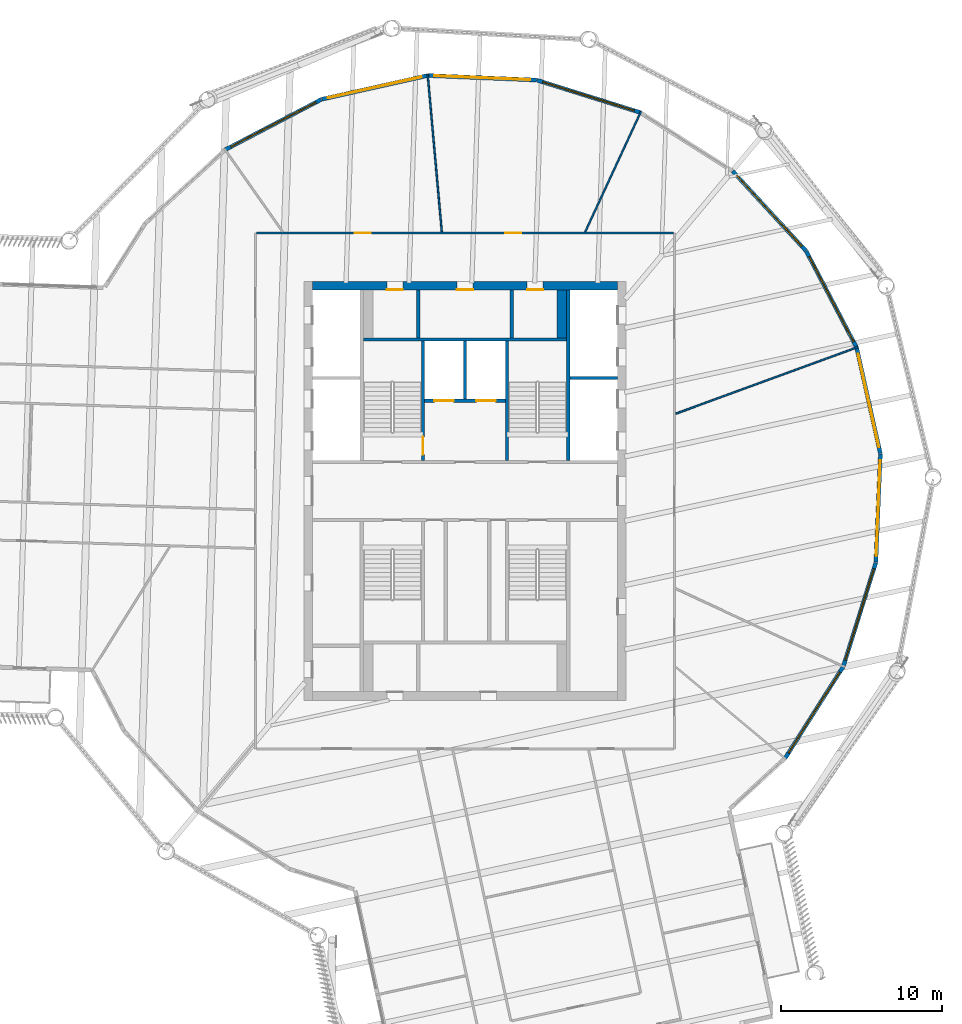
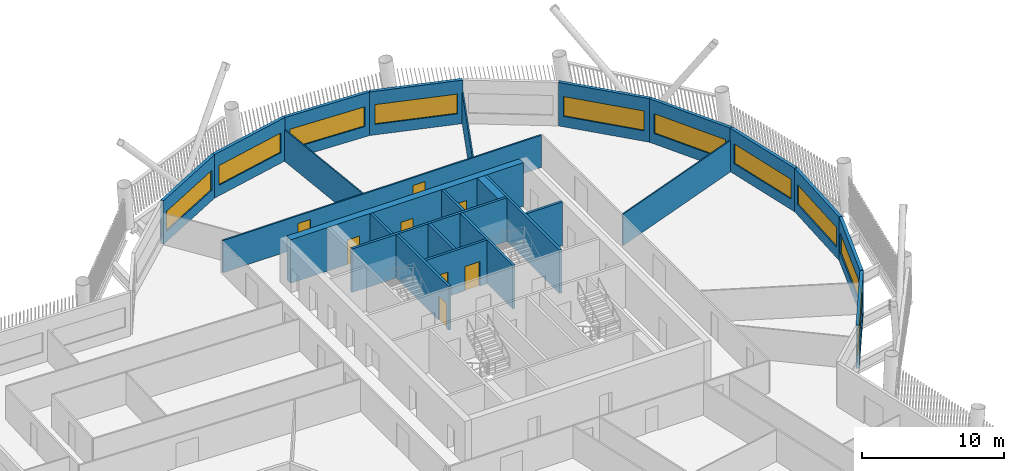
# One storey, part 6 of 21: 25 walls, 10 windows, 8 doors, 18 openings.
"""IFC4 building model written with IfcOpenShell, lengths in metres."""

from ifc_helpers import new_model, si_unit, direction, frame, frame_2d, origin, place, context, subcontext, project, spatial, rectangle, extrude, material, layer, layer_set, type_object, element, fill, save


model = new_model("IFC4")

# Units and contexts
model_context = context("Model", 3, precision=1e-05, world=origin(), true_north=direction((0.0, 1.0)))
body_context = subcontext(model_context, "Body", "Model", "MODEL_VIEW")
ifc_project = project(units=[si_unit("LENGTHUNIT", "METRE"), si_unit("AREAUNIT", "SQUARE_METRE"), si_unit("VOLUMEUNIT", "CUBIC_METRE"), si_unit("PLANEANGLEUNIT", "RADIAN"), si_unit("MASSUNIT", "GRAM", prefix="KILO")], contexts=[model_context])

# Site, building, storey
site_placement = place(None, origin())
site = spatial("IfcSite", under=ifc_project, at=site_placement, CompositionType="ELEMENT")
building_placement = place(site_placement, origin())
building = spatial("IfcBuilding", under=site, at=building_placement, Name="Tarsis Ring Headquarters", CompositionType="ELEMENT")
storey_placement = place(building_placement, frame((0.0, 0.0, 278.60009765625)))
storey = spatial("IfcBuildingStorey", under=building, at=storey_placement, Name="L65", CompositionType="ELEMENT", Elevation=278.60009765625)

# Walls
ifc_material_1 = material(Name="Blockwork", Category="masonry")
ifc_layer_1 = layer(ifc_material_1, 0.199951171875)
ifc_layer_set_1 = layer_set([ifc_layer_1], Name="Core blockwork wall 200")
wall_type_1 = type_object("IfcWallType", Name="Core blockwork wall 200", PredefinedType="PARTITIONING", material=ifc_layer_set_1)
for number, where, z_axis, x_axis, name in (
    (1, (-2.89990234375, 9.5, 0.0), (0.0, 0.0, 1.0), (0.0, 1.0, 0.0), "Core partition ND1"),
    (2, (2.89990234375, 9.5, 0.0), (0.0, 0.0, 1.0), (0.0, 1.0, 0.0), "Core partition ND3"),
):
    element("IfcWall", number, at=place(storey_placement, frame(where, z_axis=z_axis, x_axis=x_axis)), inside=storey, type_object=wall_type_1, Name=name, PredefinedType="PARTITIONING", context=body_context, shape_type="SweptSolid", body=[
        extrude(rectangle(XDim=2.949951171875, YDim=0.199951171875, at=frame_2d((1.47509765625, 0.0))), origin(), (0.0, 0.0, 1.0), 3.739990234375),
    ])

# Wall, openings, doors
ifc_material_2 = material(Name="Concrete C50/60", Category="concrete")
ifc_layer_2 = layer(ifc_material_2, 0.550048828125)
ifc_layer_set_2 = layer_set([ifc_layer_2], Name="Core wall 550 C50/60")
wall_type_2 = type_object("IfcWallType", Name="Core wall 550 C50/60", PredefinedType="SHEAR", material=ifc_layer_set_2)
wall_1_placement = place(storey_placement, frame((-9.449951171875, 12.72509765625, 0.0), z_axis=(0.0, 0.0, 1.0), x_axis=(1.0, 0.0, 0.0)))
wall_1 = element("IfcWall", 3, at=wall_1_placement, inside=storey, type_object=wall_type_2, Name="Core wall ON", PredefinedType="SHEAR", context=body_context, shape_type="SweptSolid", body=[
    extrude(rectangle(XDim=18.89990234375, YDim=0.550048828125, at=frame_2d((9.449951171875, 0.0))), origin(), (0.0, 0.0, 1.0), 3.739990234375),
])
opening_1_placement = place(wall_1_placement, frame((4.60009765625, 0.0, 0.0)))
opening_1 = element("IfcOpeningElement", 4, at=opening_1_placement, cuts=wall_1, Name="Opening L65-C14", PredefinedType="OPENING", context=body_context, shape_type="SweptSolid", body=[
    extrude(rectangle(XDim=1.0, YDim=2.10009765625, at=frame_2d((0.5, 1.050048828125))), frame((0.0, 0.284912109375, 0.0), z_axis=(0.0, -1.0, 0.0), x_axis=(1.0, 0.0, 0.0)), (0.0, 0.0, 1.0), 0.570068359375),
])
opening_2_placement = place(wall_1_placement, frame((8.949951171875, 0.0, 0.0)))
opening_2 = element("IfcOpeningElement", 5, at=opening_2_placement, cuts=wall_1, Name="Opening L65-C15", PredefinedType="OPENING", context=body_context, shape_type="SweptSolid", body=[
    extrude(rectangle(XDim=1.0, YDim=2.10009765625, at=frame_2d((0.5, 1.050048828125))), frame((0.0, 0.284912109375, 0.0), z_axis=(0.0, -1.0, 0.0), x_axis=(1.0, 0.0, 0.0)), (0.0, 0.0, 1.0), 0.570068359375),
])
opening_3_placement = place(wall_1_placement, frame((13.300048828125, 0.0, 0.0)))
opening_3 = element("IfcOpeningElement", 6, at=opening_3_placement, cuts=wall_1, Name="Opening L65-C16", PredefinedType="OPENING", context=body_context, shape_type="SweptSolid", body=[
    extrude(rectangle(XDim=1.0, YDim=2.10009765625, at=frame_2d((0.5, 1.050048828125))), frame((0.0, 0.284912109375, 0.0), z_axis=(0.0, -1.0, 0.0), x_axis=(1.0, 0.0, 0.0)), (0.0, 0.0, 1.0), 0.570068359375),
])
ifc_material_3 = material(Name="Steel S355", Category="steel")
door_type_1 = type_object("IfcDoorType", Name="Core room door 1000x2100", OperationType="SINGLE_SWING_LEFT", PredefinedType="DOOR", material=ifc_material_3)
door_1_placement = place(opening_1_placement, origin())
door_1 = element("IfcDoor", 7, at=door_1_placement, inside=storey, type_object=door_type_1, Name="Core room door L65", OperationType="SINGLE_SWING_LEFT", OverallHeight=2.10009765625, OverallWidth=1.0, PredefinedType="DOOR", context=body_context, shape_type="SweptSolid", body=[
    extrude(rectangle(XDim=1.0, YDim=2.10009765625, at=frame_2d((0.5, 1.050048828125))), frame((0.0, -0.22509765625, 0.0), z_axis=(0.0, -1.0, 0.0), x_axis=(1.0, 0.0, 0.0)), (0.0, 0.0, 1.0), 0.050048828125),
])
fill(opening_1, door_1)
door_2_placement = place(opening_2_placement, origin())
door_2 = element("IfcDoor", 8, at=door_2_placement, inside=storey, type_object=door_type_1, Name="Core room door L65", OperationType="SINGLE_SWING_LEFT", OverallHeight=2.10009765625, OverallWidth=1.0, PredefinedType="DOOR", context=body_context, shape_type="SweptSolid", body=[
    extrude(rectangle(XDim=1.0, YDim=2.10009765625, at=frame_2d((0.5, 1.050048828125))), frame((0.0, -0.22509765625, 0.0), z_axis=(0.0, -1.0, 0.0), x_axis=(1.0, 0.0, 0.0)), (0.0, 0.0, 1.0), 0.050048828125),
])
fill(opening_2, door_2)
door_3_placement = place(opening_3_placement, origin())
door_3 = element("IfcDoor", 9, at=door_3_placement, inside=storey, type_object=door_type_1, Name="Core room door L65", OperationType="SINGLE_SWING_LEFT", OverallHeight=2.10009765625, OverallWidth=1.0, PredefinedType="DOOR", context=body_context, shape_type="SweptSolid", body=[
    extrude(rectangle(XDim=1.0, YDim=2.10009765625, at=frame_2d((0.5, 1.050048828125))), frame((0.0, -0.22509765625, 0.0), z_axis=(0.0, -1.0, 0.0), x_axis=(1.0, 0.0, 0.0)), (0.0, 0.0, 1.0), 0.050048828125),
])
fill(opening_3, door_3)

# Walls
ifc_material_4 = material(Name="Gypsum board on steel studs", Category="steel")
ifc_layer_3 = layer(ifc_material_4, 0.10009765625)
ifc_layer_set_3 = layer_set([ifc_layer_3], Name="FL partition 100 unrated")
wall_type_3 = type_object("IfcWallType", Name="FL partition 100 unrated", PredefinedType="PARTITIONING", material=ifc_layer_set_3)
wall_2_placement = place(storey_placement, frame((13.0751953125, 4.7900390625, 0.0), z_axis=(0.0, 0.0, 1.0), x_axis=(0.938974943949, 0.343985544225, 0.0)))
element("IfcWall", 10, at=wall_2_placement, inside=storey, type_object=wall_type_3, Name="Partition PW3", PredefinedType="PARTITIONING", context=body_context, shape_type="SweptSolid", body=[
    extrude(rectangle(XDim=12.02294921875, YDim=0.10009765625, at=frame_2d((6.011474609375, 0.0))), origin(), (0.0, 0.0, 1.0), 2.699951171875),
])
wall_3_placement = place(storey_placement, frame((-2.315673828125, 25.84423828125, 0.0), z_axis=(0.0, 0.0, 1.0), x_axis=(0.089259389826, -0.996008414286, 0.0)))
element("IfcWall", 11, at=wall_3_placement, inside=storey, type_object=wall_type_3, Name="Partition PW3", PredefinedType="PARTITIONING", context=body_context, shape_type="SweptSolid", body=[
    extrude(rectangle(XDim=9.813720703125, YDim=0.10009765625, at=frame_2d((4.90673828125, 0.0))), origin(), (0.0, 0.0, 1.0), 2.699951171875),
])
wall_4_placement = place(storey_placement, frame((7.453857421875, 16.072509765625, 0.0), z_axis=(0.0, 0.0, 1.0), x_axis=(0.420716487475, 0.907192172126, 0.0)))
element("IfcWall", 12, at=wall_4_placement, inside=storey, type_object=wall_type_3, Name="Partition PW3", PredefinedType="PARTITIONING", context=body_context, shape_type="SweptSolid", body=[
    extrude(rectangle(XDim=8.23095703125, YDim=0.10009765625, at=frame_2d((4.115478515625, 0.0))), origin(), (0.0, 0.0, 1.0), 2.699951171875),
])

# Wall, openings, doors
ifc_layer_4 = layer(ifc_material_4, 0.125)
ifc_layer_set_4 = layer_set([ifc_layer_4], Name="FL partition 125 EI 60 H2770")
wall_type_4 = type_object("IfcWallType", Name="FL partition 125 EI 60 H2770", PredefinedType="PARTITIONING", material=ifc_layer_set_4)
wall_5_placement = place(storey_placement, frame((-12.93994140625, 16.0, 0.0), z_axis=(0.0, 0.0, 1.0), x_axis=(1.0, 0.0, 0.0)))
wall_5 = element("IfcWall", 13, at=wall_5_placement, inside=storey, type_object=wall_type_4, Name="Partition PW1", PredefinedType="PARTITIONING", context=body_context, shape_type="SweptSolid", body=[
    extrude(rectangle(XDim=25.8798828125, YDim=0.125, at=frame_2d((12.93994140625, 0.0))), origin(), (0.0, 0.0, 1.0), 2.77001953125),
])
opening_4_placement = place(wall_5_placement, frame((6.096435546875, 0.0, 0.0)))
opening_4 = element("IfcOpeningElement", 14, at=opening_4_placement, cuts=wall_5, Name="Opening D65.04", PredefinedType="OPENING", context=body_context, shape_type="SweptSolid", body=[
    extrude(rectangle(XDim=1.0, YDim=2.10009765625, at=frame_2d((0.5, 1.050048828125))), frame((0.0, 0.072509765625, 0.0), z_axis=(0.0, -1.0, 0.0), x_axis=(1.0, 0.0, 0.0)), (0.0, 0.0, 1.0), 0.14501953125),
])
opening_5_placement = place(wall_5_placement, frame((15.433349609375, 0.0, 0.0)))
opening_5 = element("IfcOpeningElement", 15, at=opening_5_placement, cuts=wall_5, Name="Opening D65.05", PredefinedType="OPENING", context=body_context, shape_type="SweptSolid", body=[
    extrude(rectangle(XDim=1.0, YDim=2.10009765625, at=frame_2d((0.5, 1.050048828125))), frame((0.0, 0.072509765625, 0.0), z_axis=(0.0, -1.0, 0.0), x_axis=(1.0, 0.0, 0.0)), (0.0, 0.0, 1.0), 0.14501953125),
])
ifc_material_5 = material(Name="Fire-rated timber door leaf in steel frame", Category="steel")
door_type_2 = type_object("IfcDoorType", Name="FL door FD60-1000", OperationType="NOTDEFINED", PredefinedType="DOOR", material=ifc_material_5)
door_4_placement = place(opening_4_placement, origin())
door_4 = element("IfcDoor", 16, at=door_4_placement, inside=storey, type_object=door_type_2, Name="Door D65.04", OperationType="SINGLE_SWING_LEFT", OverallHeight=2.10009765625, OverallWidth=1.0, PredefinedType="DOOR", context=body_context, shape_type="SweptSolid", body=[
    extrude(rectangle(XDim=1.0, YDim=2.10009765625, at=frame_2d((0.5, 1.050048828125))), frame((0.0, 0.02490234375, 0.0), z_axis=(0.0, -1.0, 0.0), x_axis=(1.0, 0.0, 0.0)), (0.0, 0.0, 1.0), 0.050048828125),
])
fill(opening_4, door_4)
door_5_placement = place(opening_5_placement, origin())
door_5 = element("IfcDoor", 17, at=door_5_placement, inside=storey, type_object=door_type_2, Name="Door D65.05", OperationType="SINGLE_SWING_RIGHT", OverallHeight=2.10009765625, OverallWidth=1.0, PredefinedType="DOOR", context=body_context, shape_type="SweptSolid", body=[
    extrude(rectangle(XDim=1.0, YDim=2.10009765625, at=frame_2d((0.5, 1.050048828125))), frame((0.0, 0.02490234375, 0.0), z_axis=(0.0, -1.0, 0.0), x_axis=(1.0, 0.0, 0.0)), (0.0, 0.0, 1.0), 0.050048828125),
])
fill(opening_5, door_5)

# Wall, opening, window
ifc_material_6 = material(Name="Terracotta clad insulated panel wall", Category="masonry")
ifc_layer_5 = layer(ifc_material_6, 0.25)
ifc_layer_set_5 = layer_set([ifc_layer_5], Name="Facade wall terracotta panel 250")
wall_type_5 = type_object("IfcWallType", Name="Facade wall terracotta panel 250", PredefinedType="STANDARD", material=ifc_layer_set_5)
wall_6_placement = place(storey_placement, frame((19.8642578125, -16.575927734375, 0.0), z_axis=(0.0, 0.0, 1.0), x_axis=(0.535544552701, 0.844506975739, 0.0)))
wall_6 = element("IfcWall", 18, at=wall_6_placement, inside=storey, type_object=wall_type_5, Name="External wall L65-18", PredefinedType="STANDARD", context=body_context, shape_type="SweptSolid", body=[
    extrude(rectangle(XDim=6.721435546875, YDim=0.25, at=frame_2d((3.36083984375, 0.0))), origin(), (0.0, 0.0, 1.0), 3.739990234375),
])
opening_6_placement = place(wall_6_placement, frame((0.3857421875, 0.0, 0.89990234375)))
opening_6 = element("IfcOpeningElement", 19, at=opening_6_placement, cuts=wall_6, Name="Opening WN07", PredefinedType="OPENING", context=body_context, shape_type="SweptSolid", body=[
    extrude(rectangle(XDim=5.949951171875, YDim=1.699951171875, at=frame_2d((2.97509765625, 0.85009765625))), frame((0.0, 0.135009765625, 0.0), z_axis=(0.0, -1.0, 0.0), x_axis=(1.0, 0.0, 0.0)), (0.0, 0.0, 1.0), 0.27001953125),
])
ifc_material_7 = material(Name="Aluminium framed double glazing", Category="aluminium")
window_type = type_object("IfcWindowType", Name="Facade window 5950 x 1700", PartitioningType="SINGLE_PANEL", PredefinedType="WINDOW", material=ifc_material_7)
window_1_placement = place(opening_6_placement, origin())
window_1 = element("IfcWindow", 20, at=window_1_placement, inside=storey, type_object=window_type, Name="Window L65-18.1", OverallHeight=1.699951171875, OverallWidth=5.949951171875, PartitioningType="SINGLE_PANEL", PredefinedType="WINDOW", context=body_context, shape_type="SweptSolid", body=[
    extrude(rectangle(XDim=5.949951171875, YDim=1.699951171875, at=frame_2d((2.97509765625, 0.85009765625))), frame((0.0, 0.030029296875, 0.0), z_axis=(0.0, -1.0, 0.0), x_axis=(1.0, 0.0, 0.0)), (0.0, 0.0, 1.0), 0.06005859375),
])
fill(opening_6, window_1)

wall_7_placement = place(storey_placement, frame((23.4775390625, -10.869873046875, 0.0), z_axis=(0.0, 0.0, 1.0), x_axis=(0.298717554618, 0.954341564935, 0.0)))
wall_7 = element("IfcWall", 21, at=wall_7_placement, inside=storey, type_object=wall_type_5, Name="External wall L65-19", PredefinedType="STANDARD", context=body_context, shape_type="SweptSolid", body=[
    extrude(rectangle(XDim=6.721435546875, YDim=0.25, at=frame_2d((3.36083984375, 0.0))), origin(), (0.0, 0.0, 1.0), 3.739990234375),
])
opening_7_placement = place(wall_7_placement, frame((0.3857421875, 0.0, 0.89990234375)))
opening_7 = element("IfcOpeningElement", 22, at=opening_7_placement, cuts=wall_7, Name="Opening WN07", PredefinedType="OPENING", context=body_context, shape_type="SweptSolid", body=[
    extrude(rectangle(XDim=5.949951171875, YDim=1.699951171875, at=frame_2d((2.97509765625, 0.85009765625))), frame((0.0, 0.135009765625, 0.0), z_axis=(0.0, -1.0, 0.0), x_axis=(1.0, 0.0, 0.0)), (0.0, 0.0, 1.0), 0.27001953125),
])
window_2_placement = place(opening_7_placement, origin())
window_2 = element("IfcWindow", 23, at=window_2_placement, inside=storey, type_object=window_type, Name="Window L65-19.1", OverallHeight=1.699951171875, OverallWidth=5.949951171875, PartitioningType="SINGLE_PANEL", PredefinedType="WINDOW", context=body_context, shape_type="SweptSolid", body=[
    extrude(rectangle(XDim=5.949951171875, YDim=1.699951171875, at=frame_2d((2.97509765625, 0.85009765625))), frame((0.0, 0.030029296875, 0.0), z_axis=(0.0, -1.0, 0.0), x_axis=(1.0, 0.0, 0.0)), (0.0, 0.0, 1.0), 0.06005859375),
])
fill(opening_7, window_2)

wall_8_placement = place(storey_placement, frame((25.490966796875, -4.423095703125, 0.0), z_axis=(0.0, 0.0, 1.0), x_axis=(0.041517231676, 0.999137788032, 0.0)))
wall_8 = element("IfcWall", 24, at=wall_8_placement, inside=storey, type_object=wall_type_5, Name="External wall L65-20", PredefinedType="STANDARD", context=body_context, shape_type="SweptSolid", body=[
    extrude(rectangle(XDim=6.721435546875, YDim=0.25, at=frame_2d((3.36083984375, 0.0))), origin(), (0.0, 0.0, 1.0), 3.739990234375),
])
opening_8_placement = place(wall_8_placement, frame((0.3857421875, 0.0, 0.89990234375)))
opening_8 = element("IfcOpeningElement", 25, at=opening_8_placement, cuts=wall_8, Name="Opening WN07", PredefinedType="OPENING", context=body_context, shape_type="SweptSolid", body=[
    extrude(rectangle(XDim=5.949951171875, YDim=1.699951171875, at=frame_2d((2.97509765625, 0.85009765625))), frame((0.0, 0.135009765625, 0.0), z_axis=(0.0, -1.0, 0.0), x_axis=(1.0, 0.0, 0.0)), (0.0, 0.0, 1.0), 0.27001953125),
])
window_3_placement = place(opening_8_placement, origin())
window_3 = element("IfcWindow", 26, at=window_3_placement, inside=storey, type_object=window_type, Name="Window L65-20.1", OverallHeight=1.699951171875, OverallWidth=5.949951171875, PartitioningType="SINGLE_PANEL", PredefinedType="WINDOW", context=body_context, shape_type="SweptSolid", body=[
    extrude(rectangle(XDim=5.949951171875, YDim=1.699951171875, at=frame_2d((2.97509765625, 0.85009765625))), frame((0.0, 0.030029296875, 0.0), z_axis=(0.0, -1.0, 0.0), x_axis=(1.0, 0.0, 0.0)), (0.0, 0.0, 1.0), 0.06005859375),
])
fill(opening_8, window_3)

wall_9_placement = place(storey_placement, frame((25.76708984375, 2.3251953125, 0.0), z_axis=(0.0, 0.0, 1.0), x_axis=(-0.218480088619, 0.975841406622, 0.0)))
wall_9 = element("IfcWall", 27, at=wall_9_placement, inside=storey, type_object=wall_type_5, Name="External wall L65-21", PredefinedType="STANDARD", context=body_context, shape_type="SweptSolid", body=[
    extrude(rectangle(XDim=6.721435546875, YDim=0.25, at=frame_2d((3.36083984375, 0.0))), origin(), (0.0, 0.0, 1.0), 3.739990234375),
])
opening_9_placement = place(wall_9_placement, frame((0.3857421875, 0.0, 0.89990234375)))
opening_9 = element("IfcOpeningElement", 28, at=opening_9_placement, cuts=wall_9, Name="Opening WN07", PredefinedType="OPENING", context=body_context, shape_type="SweptSolid", body=[
    extrude(rectangle(XDim=5.949951171875, YDim=1.699951171875, at=frame_2d((2.97509765625, 0.85009765625))), frame((0.0, 0.135009765625, 0.0), z_axis=(0.0, -1.0, 0.0), x_axis=(1.0, 0.0, 0.0)), (0.0, 0.0, 1.0), 0.27001953125),
])
window_4_placement = place(opening_9_placement, origin())
window_4 = element("IfcWindow", 29, at=window_4_placement, inside=storey, type_object=window_type, Name="Window L65-21.1", OverallHeight=1.699951171875, OverallWidth=5.949951171875, PartitioningType="SINGLE_PANEL", PredefinedType="WINDOW", context=body_context, shape_type="SweptSolid", body=[
    extrude(rectangle(XDim=5.949951171875, YDim=1.699951171875, at=frame_2d((2.97509765625, 0.85009765625))), frame((0.0, 0.030029296875, 0.0), z_axis=(0.0, -1.0, 0.0), x_axis=(1.0, 0.0, 0.0)), (0.0, 0.0, 1.0), 0.06005859375),
])
fill(opening_9, window_4)

wall_10_placement = place(storey_placement, frame((24.287353515625, 8.914794921875, 0.0), z_axis=(0.0, 0.0, 1.0), x_axis=(-0.463613353374, 0.886037616907, 0.0)))
wall_10 = element("IfcWall", 30, at=wall_10_placement, inside=storey, type_object=wall_type_5, Name="External wall L65-22", PredefinedType="STANDARD", context=body_context, shape_type="SweptSolid", body=[
    extrude(rectangle(XDim=6.7216796875, YDim=0.25, at=frame_2d((3.36083984375, 0.0))), origin(), (0.0, 0.0, 1.0), 3.739990234375),
])
opening_10_placement = place(wall_10_placement, frame((0.3857421875, 0.0, 0.89990234375)))
opening_10 = element("IfcOpeningElement", 31, at=opening_10_placement, cuts=wall_10, Name="Opening WN07", PredefinedType="OPENING", context=body_context, shape_type="SweptSolid", body=[
    extrude(rectangle(XDim=5.949951171875, YDim=1.699951171875, at=frame_2d((2.97509765625, 0.85009765625))), frame((0.0, 0.135009765625, 0.0), z_axis=(0.0, -1.0, 0.0), x_axis=(1.0, 0.0, 0.0)), (0.0, 0.0, 1.0), 0.27001953125),
])
window_5_placement = place(opening_10_placement, origin())
window_5 = element("IfcWindow", 32, at=window_5_placement, inside=storey, type_object=window_type, Name="Window L65-22.1", OverallHeight=1.699951171875, OverallWidth=5.949951171875, PartitioningType="SINGLE_PANEL", PredefinedType="WINDOW", context=body_context, shape_type="SweptSolid", body=[
    extrude(rectangle(XDim=5.949951171875, YDim=1.699951171875, at=frame_2d((2.97509765625, 0.85009765625))), frame((0.0, 0.030029296875, 0.0), z_axis=(0.0, -1.0, 0.0), x_axis=(1.0, 0.0, 0.0)), (0.0, 0.0, 1.0), 0.06005859375),
])
fill(opening_10, window_5)

wall_11_placement = place(storey_placement, frame((21.15234375, 14.897216796875, 0.0), z_axis=(0.0, 0.0, 1.0), x_axis=(-0.677129708166, 0.735863681886, 0.0)))
wall_11 = element("IfcWall", 33, at=wall_11_placement, inside=storey, type_object=wall_type_5, Name="External wall L65-23", PredefinedType="STANDARD", context=body_context, shape_type="SweptSolid", body=[
    extrude(rectangle(XDim=6.721435546875, YDim=0.25, at=frame_2d((3.36083984375, 0.0))), origin(), (0.0, 0.0, 1.0), 3.739990234375),
])
opening_11_placement = place(wall_11_placement, frame((0.3857421875, 0.0, 0.89990234375)))
opening_11 = element("IfcOpeningElement", 34, at=opening_11_placement, cuts=wall_11, Name="Opening WN07", PredefinedType="OPENING", context=body_context, shape_type="SweptSolid", body=[
    extrude(rectangle(XDim=5.949951171875, YDim=1.699951171875, at=frame_2d((2.97509765625, 0.85009765625))), frame((0.0, 0.135009765625, 0.0), z_axis=(0.0, -1.0, 0.0), x_axis=(1.0, 0.0, 0.0)), (0.0, 0.0, 1.0), 0.27001953125),
])
window_6_placement = place(opening_11_placement, origin())
window_6 = element("IfcWindow", 35, at=window_6_placement, inside=storey, type_object=window_type, Name="Window L65-23.1", OverallHeight=1.699951171875, OverallWidth=5.949951171875, PartitioningType="SINGLE_PANEL", PredefinedType="WINDOW", context=body_context, shape_type="SweptSolid", body=[
    extrude(rectangle(XDim=5.949951171875, YDim=1.699951171875, at=frame_2d((2.97509765625, 0.85009765625))), frame((0.0, 0.030029296875, 0.0), z_axis=(0.0, -1.0, 0.0), x_axis=(1.0, 0.0, 0.0)), (0.0, 0.0, 1.0), 0.06005859375),
])
fill(opening_11, window_6)

wall_12_placement = place(storey_placement, frame((10.869873046875, 23.4775390625, 0.0), z_axis=(0.0, 0.0, 1.0), x_axis=(-0.954341564935, 0.298717554618, 0.0)))
wall_12 = element("IfcWall", 36, at=wall_12_placement, inside=storey, type_object=wall_type_5, Name="External wall L65-25", PredefinedType="STANDARD", context=body_context, shape_type="SweptSolid", body=[
    extrude(rectangle(XDim=6.721435546875, YDim=0.25, at=frame_2d((3.36083984375, 0.0))), origin(), (0.0, 0.0, 1.0), 3.739990234375),
])
opening_12_placement = place(wall_12_placement, frame((0.3857421875, 0.0, 0.89990234375)))
opening_12 = element("IfcOpeningElement", 37, at=opening_12_placement, cuts=wall_12, Name="Opening WN07", PredefinedType="OPENING", context=body_context, shape_type="SweptSolid", body=[
    extrude(rectangle(XDim=5.949951171875, YDim=1.699951171875, at=frame_2d((2.97509765625, 0.85009765625))), frame((0.0, 0.135009765625, 0.0), z_axis=(0.0, -1.0, 0.0), x_axis=(1.0, 0.0, 0.0)), (0.0, 0.0, 1.0), 0.27001953125),
])
window_7_placement = place(opening_12_placement, origin())
window_7 = element("IfcWindow", 38, at=window_7_placement, inside=storey, type_object=window_type, Name="Window L65-25.1", OverallHeight=1.699951171875, OverallWidth=5.949951171875, PartitioningType="SINGLE_PANEL", PredefinedType="WINDOW", context=body_context, shape_type="SweptSolid", body=[
    extrude(rectangle(XDim=5.949951171875, YDim=1.699951171875, at=frame_2d((2.97509765625, 0.85009765625))), frame((0.0, 0.030029296875, 0.0), z_axis=(0.0, -1.0, 0.0), x_axis=(1.0, 0.0, 0.0)), (0.0, 0.0, 1.0), 0.06005859375),
])
fill(opening_12, window_7)

wall_13_placement = place(storey_placement, frame((4.423095703125, 25.490966796875, 0.0), z_axis=(0.0, 0.0, 1.0), x_axis=(-0.999137788032, 0.041517231676, 0.0)))
wall_13 = element("IfcWall", 39, at=wall_13_placement, inside=storey, type_object=wall_type_5, Name="External wall L65-26", PredefinedType="STANDARD", context=body_context, shape_type="SweptSolid", body=[
    extrude(rectangle(XDim=6.721435546875, YDim=0.25, at=frame_2d((3.36083984375, 0.0))), origin(), (0.0, 0.0, 1.0), 3.739990234375),
])
opening_13_placement = place(wall_13_placement, frame((0.3857421875, 0.0, 0.89990234375)))
opening_13 = element("IfcOpeningElement", 40, at=opening_13_placement, cuts=wall_13, Name="Opening WN07", PredefinedType="OPENING", context=body_context, shape_type="SweptSolid", body=[
    extrude(rectangle(XDim=5.949951171875, YDim=1.699951171875, at=frame_2d((2.97509765625, 0.85009765625))), frame((0.0, 0.135009765625, 0.0), z_axis=(0.0, -1.0, 0.0), x_axis=(1.0, 0.0, 0.0)), (0.0, 0.0, 1.0), 0.27001953125),
])
window_8_placement = place(opening_13_placement, origin())
window_8 = element("IfcWindow", 41, at=window_8_placement, inside=storey, type_object=window_type, Name="Window L65-26.1", OverallHeight=1.699951171875, OverallWidth=5.949951171875, PartitioningType="SINGLE_PANEL", PredefinedType="WINDOW", context=body_context, shape_type="SweptSolid", body=[
    extrude(rectangle(XDim=5.949951171875, YDim=1.699951171875, at=frame_2d((2.97509765625, 0.85009765625))), frame((0.0, 0.030029296875, 0.0), z_axis=(0.0, -1.0, 0.0), x_axis=(1.0, 0.0, 0.0)), (0.0, 0.0, 1.0), 0.06005859375),
])
fill(opening_13, window_8)

wall_14_placement = place(storey_placement, frame((-2.3251953125, 25.76708984375, 0.0), z_axis=(0.0, 0.0, 1.0), x_axis=(-0.975841406622, -0.218480088619, 0.0)))
wall_14 = element("IfcWall", 42, at=wall_14_placement, inside=storey, type_object=wall_type_5, Name="External wall L65-27", PredefinedType="STANDARD", context=body_context, shape_type="SweptSolid", body=[
    extrude(rectangle(XDim=6.721435546875, YDim=0.25, at=frame_2d((3.36083984375, 0.0))), origin(), (0.0, 0.0, 1.0), 3.739990234375),
])
opening_14_placement = place(wall_14_placement, frame((0.3857421875, 0.0, 0.89990234375)))
opening_14 = element("IfcOpeningElement", 43, at=opening_14_placement, cuts=wall_14, Name="Opening WN07", PredefinedType="OPENING", context=body_context, shape_type="SweptSolid", body=[
    extrude(rectangle(XDim=5.949951171875, YDim=1.699951171875, at=frame_2d((2.97509765625, 0.85009765625))), frame((0.0, 0.135009765625, 0.0), z_axis=(0.0, -1.0, 0.0), x_axis=(1.0, 0.0, 0.0)), (0.0, 0.0, 1.0), 0.27001953125),
])
window_9_placement = place(opening_14_placement, origin())
window_9 = element("IfcWindow", 44, at=window_9_placement, inside=storey, type_object=window_type, Name="Window L65-27.1", OverallHeight=1.699951171875, OverallWidth=5.949951171875, PartitioningType="SINGLE_PANEL", PredefinedType="WINDOW", context=body_context, shape_type="SweptSolid", body=[
    extrude(rectangle(XDim=5.949951171875, YDim=1.699951171875, at=frame_2d((2.97509765625, 0.85009765625))), frame((0.0, 0.030029296875, 0.0), z_axis=(0.0, -1.0, 0.0), x_axis=(1.0, 0.0, 0.0)), (0.0, 0.0, 1.0), 0.06005859375),
])
fill(opening_14, window_9)

wall_15_placement = place(storey_placement, frame((-8.914794921875, 24.287353515625, 0.0), z_axis=(0.0, 0.0, 1.0), x_axis=(-0.886037616907, -0.463613353374, 0.0)))
wall_15 = element("IfcWall", 45, at=wall_15_placement, inside=storey, type_object=wall_type_5, Name="External wall L65-28", PredefinedType="STANDARD", context=body_context, shape_type="SweptSolid", body=[
    extrude(rectangle(XDim=6.7216796875, YDim=0.25, at=frame_2d((3.36083984375, 0.0))), origin(), (0.0, 0.0, 1.0), 3.739990234375),
])
opening_15_placement = place(wall_15_placement, frame((0.3857421875, 0.0, 0.89990234375)))
opening_15 = element("IfcOpeningElement", 46, at=opening_15_placement, cuts=wall_15, Name="Opening WN07", PredefinedType="OPENING", context=body_context, shape_type="SweptSolid", body=[
    extrude(rectangle(XDim=5.949951171875, YDim=1.699951171875, at=frame_2d((2.97509765625, 0.85009765625))), frame((0.0, 0.135009765625, 0.0), z_axis=(0.0, -1.0, 0.0), x_axis=(1.0, 0.0, 0.0)), (0.0, 0.0, 1.0), 0.27001953125),
])
window_10_placement = place(opening_15_placement, origin())
window_10 = element("IfcWindow", 47, at=window_10_placement, inside=storey, type_object=window_type, Name="Window L65-28.1", OverallHeight=1.699951171875, OverallWidth=5.949951171875, PartitioningType="SINGLE_PANEL", PredefinedType="WINDOW", context=body_context, shape_type="SweptSolid", body=[
    extrude(rectangle(XDim=5.949951171875, YDim=1.699951171875, at=frame_2d((2.97509765625, 0.85009765625))), frame((0.0, 0.030029296875, 0.0), z_axis=(0.0, -1.0, 0.0), x_axis=(1.0, 0.0, 0.0)), (0.0, 0.0, 1.0), 0.06005859375),
])
fill(opening_15, window_10)

# Walls
ifc_material_8 = material(Name="Concrete C32/40", Category="concrete")
ifc_layer_6 = layer(ifc_material_8, 0.60009765625)
ifc_layer_set_6 = layer_set([ifc_layer_6], Name="Shaft end wall 600 C32/40")
wall_type_6 = type_object("IfcWallType", Name="Shaft end wall 600 C32/40", PredefinedType="SOLIDWALL", material=ifc_layer_set_6)
wall_16_placement = place(storey_placement, frame((6.0, 9.5, 0.0), z_axis=(0.0, 0.0, 1.0), x_axis=(0.0, 1.0, 0.0)))
element("IfcWall", 48, at=wall_16_placement, inside=storey, type_object=wall_type_6, Name="Core shaft wall NNE2", PredefinedType="SOLIDWALL", context=body_context, shape_type="SweptSolid", body=[
    extrude(rectangle(XDim=2.949951171875, YDim=0.60009765625, at=frame_2d((1.47509765625, 0.0))), origin(), (0.0, 0.0, 1.0), 3.739990234375),
])
ifc_layer_7 = layer(ifc_material_8, 0.199951171875)
ifc_layer_set_7 = layer_set([ifc_layer_7], Name="Shaft wall 200 C32/40")
wall_type_7 = type_object("IfcWallType", Name="Shaft wall 200 C32/40", PredefinedType="SOLIDWALL", material=ifc_layer_set_7)
wall_17_placement = place(storey_placement, frame((6.39990234375, 1.89990234375, 0.0), z_axis=(0.0, 0.0, 1.0), x_axis=(0.0, 1.0, 0.0)))
element("IfcWall", 49, at=wall_17_placement, inside=storey, type_object=wall_type_7, Name="Core shaft wall EB2", PredefinedType="SOLIDWALL", context=body_context, shape_type="SweptSolid", body=[
    extrude(rectangle(XDim=10.550048828125, YDim=0.199951171875, at=frame_2d((5.27490234375, 0.0))), origin(), (0.0, 0.0, 1.0), 3.739990234375),
])
wall_18_placement = place(storey_placement, frame((-6.300048828125, 9.39990234375, 0.0), z_axis=(0.0, 0.0, 1.0), x_axis=(1.0, 0.0, 0.0)))
element("IfcWall", 50, at=wall_18_placement, inside=storey, type_object=wall_type_7, Name="Core shaft wall NB", PredefinedType="SOLIDWALL", context=body_context, shape_type="SweptSolid", body=[
    extrude(rectangle(XDim=12.60009765625, YDim=0.199951171875, at=frame_2d((6.300048828125, 0.0))), origin(), (0.0, 0.0, 1.0), 3.739990234375),
])

# Wall, opening, door
wall_19_placement = place(storey_placement, frame((-2.60009765625, 1.89990234375, 0.0), z_axis=(0.0, 0.0, 1.0), x_axis=(0.0, 1.0, 0.0)))
wall_19 = element("IfcWall", 51, at=wall_19_placement, inside=storey, type_object=wall_type_7, Name="Core shaft wall SW1", PredefinedType="SOLIDWALL", context=body_context, shape_type="SweptSolid", body=[
    extrude(rectangle(XDim=7.400146484375, YDim=0.199951171875, at=frame_2d((3.7001953125, 0.0))), origin(), (0.0, 0.0, 1.0), 3.739990234375),
])
opening_16_placement = place(wall_19_placement, frame((0.35009765625, 0.0, 0.0)))
opening_16 = element("IfcOpeningElement", 52, at=opening_16_placement, cuts=wall_19, Name="Opening L65-C27", PredefinedType="OPENING", context=body_context, shape_type="SweptSolid", body=[
    extrude(rectangle(XDim=1.10009765625, YDim=2.10009765625, at=frame_2d((0.550048828125, 1.050048828125))), frame((0.0, 0.10986328125, 0.0), z_axis=(0.0, -1.0, 0.0), x_axis=(1.0, 0.0, 0.0)), (0.0, 0.0, 1.0), 0.219970703125),
])
door_type_3 = type_object("IfcDoorType", Name="Stair door 1100x2100", OperationType="SINGLE_SWING_LEFT", PredefinedType="DOOR", material=ifc_material_3)
door_6_placement = place(opening_16_placement, origin())
door_6 = element("IfcDoor", 53, at=door_6_placement, inside=storey, type_object=door_type_3, Name="Stair door L65", OperationType="SINGLE_SWING_LEFT", OverallHeight=2.10009765625, OverallWidth=1.10009765625, PredefinedType="DOOR", context=body_context, shape_type="SweptSolid", body=[
    extrude(rectangle(XDim=1.10009765625, YDim=2.10009765625, at=frame_2d((0.550048828125, 1.050048828125))), frame((0.0, 0.02490234375, 0.0), z_axis=(0.0, -1.0, 0.0), x_axis=(1.0, 0.0, 0.0)), (0.0, 0.0, 1.0), 0.050048828125),
])
fill(opening_16, door_6)

# Wall
wall_20_placement = place(storey_placement, frame((2.60009765625, 1.89990234375, 0.0), z_axis=(0.0, 0.0, 1.0), x_axis=(0.0, 1.0, 0.0)))
element("IfcWall", 54, at=wall_20_placement, inside=storey, type_object=wall_type_7, Name="Core shaft wall SW2", PredefinedType="SOLIDWALL", context=body_context, shape_type="SweptSolid", body=[
    extrude(rectangle(XDim=7.400146484375, YDim=0.199951171875, at=frame_2d((3.7001953125, 0.0))), origin(), (0.0, 0.0, 1.0), 3.739990234375),
])

# Wall, openings, doors
wall_21_placement = place(storey_placement, frame((-2.5, 5.60009765625, 0.0), z_axis=(0.0, 0.0, 1.0), x_axis=(1.0, 0.0, 0.0)))
wall_21 = element("IfcWall", 55, at=wall_21_placement, inside=storey, type_object=wall_type_7, Name="Core shaft wall FFN", PredefinedType="SOLIDWALL", context=body_context, shape_type="SweptSolid", body=[
    extrude(rectangle(XDim=5.0, YDim=0.199951171875, at=frame_2d((2.5, 0.0))), origin(), (0.0, 0.0, 1.0), 3.739990234375),
])
opening_17_placement = place(wall_21_placement, frame((0.60009765625, 0.0, 0.0)))
opening_17 = element("IfcOpeningElement", 56, at=opening_17_placement, cuts=wall_21, Name="Opening LDF-1", PredefinedType="OPENING", context=body_context, shape_type="SweptSolid", body=[
    extrude(rectangle(XDim=1.199951171875, YDim=2.10009765625, at=frame_2d((0.60009765625, 1.050048828125))), frame((0.0, 0.10986328125, 0.0), z_axis=(0.0, -1.0, 0.0), x_axis=(1.0, 0.0, 0.0)), (0.0, 0.0, 1.0), 0.219970703125),
])
opening_18_placement = place(wall_21_placement, frame((3.199951171875, 0.0, 0.0)))
opening_18 = element("IfcOpeningElement", 57, at=opening_18_placement, cuts=wall_21, Name="Opening LDF-2", PredefinedType="OPENING", context=body_context, shape_type="SweptSolid", body=[
    extrude(rectangle(XDim=1.199951171875, YDim=2.10009765625, at=frame_2d((0.60009765625, 1.050048828125))), frame((0.0, 0.10986328125, 0.0), z_axis=(0.0, -1.0, 0.0), x_axis=(1.0, 0.0, 0.0)), (0.0, 0.0, 1.0), 0.219970703125),
])
door_type_4 = type_object("IfcDoorType", Name="Firefighting landing door 1200x2100", OperationType="SLIDING_TO_LEFT", PredefinedType="DOOR", material=ifc_material_3)
door_7_placement = place(opening_17_placement, origin())
door_7 = element("IfcDoor", 58, at=door_7_placement, inside=storey, type_object=door_type_4, Name="Landing door FF1 L65", OperationType="SLIDING_TO_LEFT", OverallHeight=2.10009765625, OverallWidth=1.199951171875, PredefinedType="DOOR", context=body_context, shape_type="SweptSolid", body=[
    extrude(rectangle(XDim=1.199951171875, YDim=2.10009765625, at=frame_2d((0.60009765625, 1.050048828125))), frame((0.0, 0.02490234375, 0.0), z_axis=(0.0, -1.0, 0.0), x_axis=(1.0, 0.0, 0.0)), (0.0, 0.0, 1.0), 0.050048828125),
])
fill(opening_17, door_7)
door_8_placement = place(opening_18_placement, origin())
door_8 = element("IfcDoor", 59, at=door_8_placement, inside=storey, type_object=door_type_4, Name="Landing door FF2 L65", OperationType="SLIDING_TO_LEFT", OverallHeight=2.10009765625, OverallWidth=1.199951171875, PredefinedType="DOOR", context=body_context, shape_type="SweptSolid", body=[
    extrude(rectangle(XDim=1.199951171875, YDim=2.10009765625, at=frame_2d((0.60009765625, 1.050048828125))), frame((0.0, 0.02490234375, 0.0), z_axis=(0.0, -1.0, 0.0), x_axis=(1.0, 0.0, 0.0)), (0.0, 0.0, 1.0), 0.050048828125),
])
fill(opening_18, door_8)

# Walls
wall_22_placement = place(storey_placement, frame((0.0, 5.699951171875, 0.0), z_axis=(0.0, 0.0, 1.0), x_axis=(0.0, 1.0, 0.0)))
element("IfcWall", 60, at=wall_22_placement, inside=storey, type_object=wall_type_7, Name="Core shaft wall FFD", PredefinedType="SOLIDWALL", context=body_context, shape_type="SweptSolid", body=[
    extrude(rectangle(XDim=3.60009765625, YDim=0.199951171875, at=frame_2d((1.800048828125, 0.0))), origin(), (0.0, 0.0, 1.0), 3.739990234375),
])
wall_23_placement = place(storey_placement, frame((6.5, 7.0, 0.0), z_axis=(0.0, 0.0, 1.0), x_axis=(1.0, 0.0, 0.0)))
element("IfcWall", 61, at=wall_23_placement, inside=storey, type_object=wall_type_7, Name="Core shaft wall ED6", PredefinedType="SOLIDWALL", context=body_context, shape_type="SweptSolid", body=[
    extrude(rectangle(XDim=2.949951171875, YDim=0.199951171875, at=frame_2d((1.47509765625, 0.0))), origin(), (0.0, 0.0, 1.0), 3.739990234375),
])

save(model, "model.ifc")
